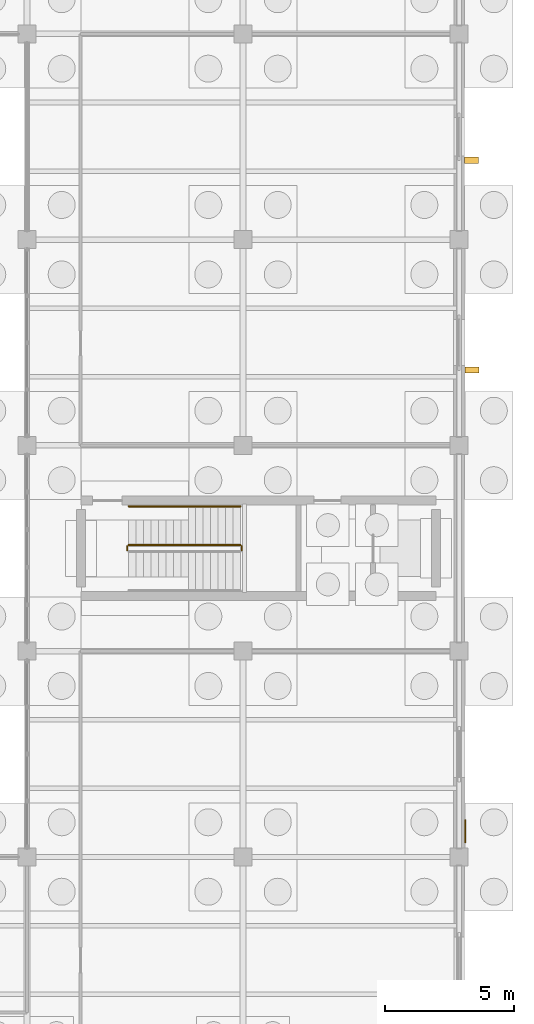
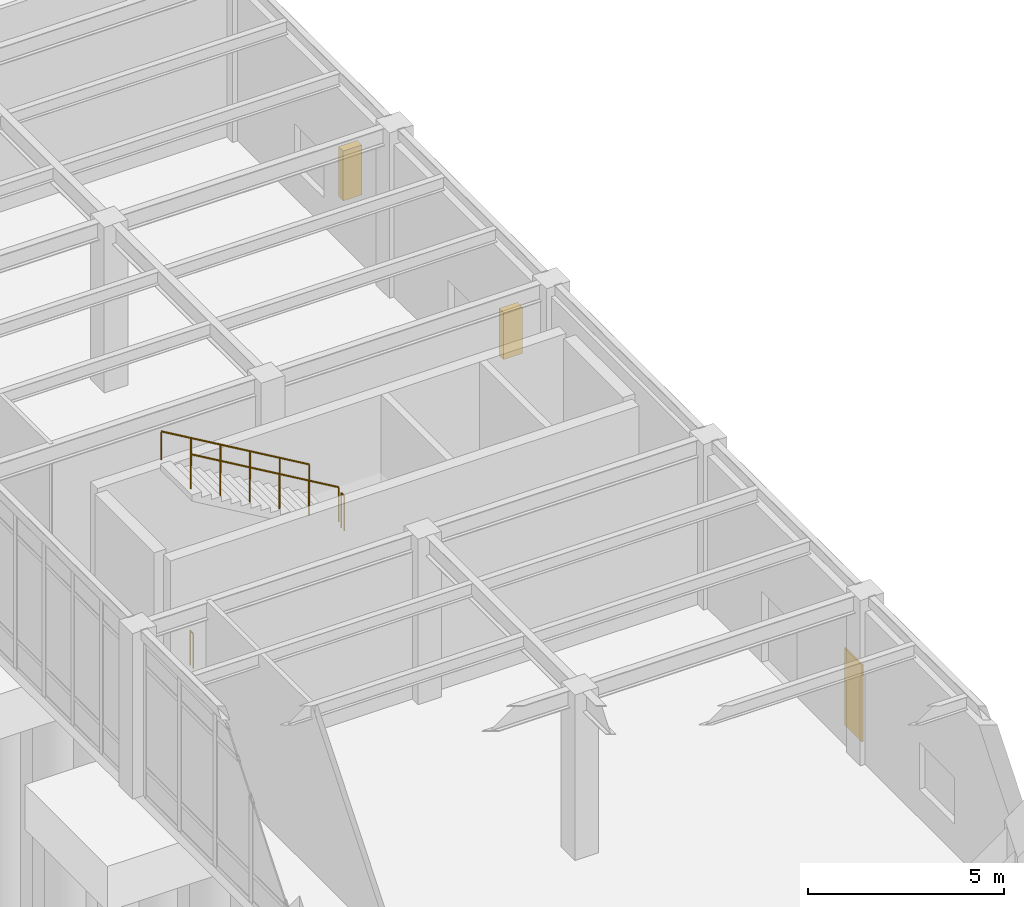
# One storey, part 136 of 138: 4 railings, 2 shading devices, 1 covering.
"""IFC4 building model written with IfcOpenShell, lengths in metres."""

from ifc_helpers import new_model, si_unit, direction, frame, origin, origin_2d, place, context, subcontext, project, spatial, rectangle, circle, extrude, material, layer, layer_set, type_object, element, save


model = new_model("IFC4")

# Units and contexts
model_context = context("Model", 3, precision=1e-05, world=origin(), true_north=direction((0.0, 1.0)))
body_context = subcontext(model_context, "Body", "Model", "MODEL_VIEW")
ifc_project = project(units=[si_unit("LENGTHUNIT", "METRE"), si_unit("AREAUNIT", "SQUARE_METRE"), si_unit("VOLUMEUNIT", "CUBIC_METRE"), si_unit("PLANEANGLEUNIT", "RADIAN"), si_unit("MASSUNIT", "GRAM", prefix="KILO")], contexts=[model_context])

# Site, building, storey
site_placement = place(None, origin())
site = spatial("IfcSite", under=ifc_project, at=site_placement, CompositionType="ELEMENT")
building_placement = place(site_placement, origin())
building = spatial("IfcBuilding", under=site, at=building_placement, Name="Kranzveld Transit Interchange", CompositionType="ELEMENT")
storey_placement = place(building_placement, origin())
storey = spatial("IfcBuildingStorey", under=building, at=storey_placement, Name="L00", CompositionType="ELEMENT", Elevation=0.0)

# Shading devices
ifc_material_1 = material(Name="Bronze-anodised thermally broken aluminium", Category="aluminium")
shading_device_type = type_object("IfcShadingDeviceType", Name="East-West Deep Clinker Solar Fin", PredefinedType="USERDEFINED", material=ifc_material_1)
shading_device_1_placement = place(storey_placement, frame((168.4951171875, 82.93994140625, 0.8251953125), z_axis=(0.0, 0.0, 1.0), x_axis=(0.0, 1.0, 0.0)))
element("IfcShadingDevice", 1, at=shading_device_1_placement, inside=storey, type_object=shading_device_type, Name="L00 Vertical Solar Fin 21/L", ObjectType="SOLAR FIN", PredefinedType="USERDEFINED", context=body_context, shape_type="SweptSolid", body=[
    extrude(rectangle(XDim=0.239990234375, YDim=0.550048828125, at=origin_2d()), origin(), (0.0, 0.0, 1.0), 1.449951171875),
])
shading_device_2_placement = place(storey_placement, frame((168.47998046875, 91.090087890625, 0.8251953125), z_axis=(0.0, 0.0, 1.0), x_axis=(0.0, 1.0, 0.0)))
element("IfcShadingDevice", 2, at=shading_device_2_placement, inside=storey, type_object=shading_device_type, Name="L00 Vertical Solar Fin 21/M", ObjectType="SOLAR FIN", PredefinedType="USERDEFINED", context=body_context, shape_type="SweptSolid", body=[
    extrude(rectangle(XDim=0.239990234375, YDim=0.550048828125, at=origin_2d()), origin(), (0.0, 0.0, 1.0), 1.550048828125),
])

# Covering
ifc_material_2 = material(Name="Ochre Pretoria sandstone cladding, 45 MPa", Category="masonry")
ifc_layer = layer(ifc_material_2, 0.044921875)
ifc_layer_set = layer_set([ifc_layer], Name="Ochre Pretoria sandstone cladding, 45 MPa")
covering_type = type_object("IfcCoveringType", Name="Ochre Pretoria Sandstone Pier Cladding 45", PredefinedType="CLADDING", material=ifc_layer_set)
covering_placement = place(storey_placement, frame((168.242431640625, 65.0, 0.0), z_axis=(0.0, 0.0, 1.0), x_axis=(0.0, 1.0, 0.0)))
element("IfcCovering", 3, at=covering_placement, inside=storey, type_object=covering_type, Name="L00 Sandstone Plinth Cladding 08", PredefinedType="CLADDING", context=body_context, shape_type="SweptSolid", body=[
    extrude(rectangle(XDim=0.89990234375, YDim=0.044921875, at=origin_2d()), origin(), (0.0, 0.0, 1.0), 2.39990234375),
])

# Railings
ifc_material_3 = material(Name="Steel S355JR", Category="steel")
railing_type_1 = type_object("IfcRailingType", Name="Stair & Ramp Handrail Steel 900", PredefinedType="HANDRAIL", material=ifc_material_3)
railing_1_placement = place(storey_placement, frame((159.5, 77.6298828125, 2.889892578125)))
element("IfcRailing", 4, at=railing_1_placement, inside=storey, type_object=railing_type_1, Name="L00 ST-V4B stair handrail 2", PredefinedType="HANDRAIL", context=body_context, shape_type="SweptSolid", body=[
    extrude(circle(Radius=0.02392578125, at=origin_2d()), frame((0.0, 0.0, 0.8759765625), z_axis=(-0.862698698498, 0.0, 0.505718257145), x_axis=(0.0, -1.0, 0.0)), (0.0, 0.0, 1.0), 5.04248046875),
    extrude(circle(Radius=0.02099609375, at=origin_2d()), origin(), (0.0, 0.0, 1.0), 0.849853515625),
    extrude(circle(Radius=0.02099609375, at=origin_2d()), frame((-0.8701171875, 0.0, 0.510009765625)), (0.0, 0.0, 1.0), 0.849853515625),
    extrude(circle(Radius=0.02099609375, at=origin_2d()), frame((-1.739990234375, 0.0, 1.02001953125)), (0.0, 0.0, 1.0), 0.849853515625),
    extrude(circle(Radius=0.02099609375, at=origin_2d()), frame((-2.610107421875, 0.0, 1.530029296875)), (0.0, 0.0, 1.0), 0.849853515625),
    extrude(circle(Radius=0.02099609375, at=origin_2d()), frame((-3.47998046875, 0.0, 2.0400390625)), (0.0, 0.0, 1.0), 0.849853515625),
    extrude(circle(Radius=0.02099609375, at=origin_2d()), frame((-4.35009765625, 0.0, 2.550048828125)), (0.0, 0.0, 1.0), 0.849853515625),
])
ifc_material_4 = material(Name="Steel S355JR", Category="steel")
railing_type_2 = type_object("IfcRailingType", Name="Stair Well Guardrail Steel 1100", PredefinedType="GUARDRAIL", material=ifc_material_4)
railing_2_placement = place(storey_placement, frame((159.550048828125, 75.919921875, 2.719970703125)))
element("IfcRailing", 5, at=railing_2_placement, inside=storey, type_object=railing_type_2, Name="L00 ST-V4B stair guard 2", PredefinedType="GUARDRAIL", context=body_context, shape_type="SweptSolid", body=[
    extrude(circle(Radius=0.02392578125, at=origin_2d()), frame((0.0, 0.0, 1.076171875), z_axis=(0.0, 1.0, 0.0), x_axis=(-1.0, 0.0, 0.0)), (0.0, 0.0, 1.0), 0.16015625),
    extrude(circle(Radius=0.02099609375, at=origin_2d()), origin(), (0.0, 0.0, 1.0), 1.050048828125),
    extrude(circle(Radius=0.02099609375, at=origin_2d()), frame((0.0, 0.16015625, 0.0)), (0.0, 0.0, 1.0), 1.050048828125),
])
railing_3_placement = place(storey_placement, frame((159.5, 76.1298828125, 2.889892578125)))
element("IfcRailing", 6, at=railing_3_placement, inside=storey, type_object=railing_type_2, Name="L00 ST-V4B stair guard 3", PredefinedType="GUARDRAIL", context=body_context, shape_type="SweptSolid", body=[
    extrude(circle(Radius=0.02392578125, at=origin_2d()), frame((0.0, 0.0, 1.076171875), z_axis=(-0.862698698498, 0.0, 0.505718257145), x_axis=(0.0, -1.0, 0.0)), (0.0, 0.0, 1.0), 5.04248046875),
    extrude(circle(Radius=0.02099609375, at=origin_2d()), origin(), (0.0, 0.0, 1.0), 1.050048828125),
    extrude(circle(Radius=0.02099609375, at=origin_2d()), frame((-0.8701171875, 0.0, 0.510009765625)), (0.0, 0.0, 1.0), 1.050048828125),
    extrude(circle(Radius=0.02099609375, at=origin_2d()), frame((-1.739990234375, 0.0, 1.02001953125)), (0.0, 0.0, 1.0), 1.050048828125),
    extrude(circle(Radius=0.02099609375, at=origin_2d()), frame((-2.610107421875, 0.0, 1.530029296875)), (0.0, 0.0, 1.0), 1.050048828125),
    extrude(circle(Radius=0.02099609375, at=origin_2d()), frame((-3.47998046875, 0.0, 2.0400390625)), (0.0, 0.0, 1.0), 1.050048828125),
    extrude(circle(Radius=0.02099609375, at=origin_2d()), frame((-4.35009765625, 0.0, 2.550048828125)), (0.0, 0.0, 1.0), 1.050048828125),
])
railing_4_placement = place(storey_placement, frame((155.10009765625, 75.919921875, 0.0)))
element("IfcRailing", 7, at=railing_4_placement, inside=storey, type_object=railing_type_2, Name="L00 ST-V4B stair guard 4", PredefinedType="GUARDRAIL", context=body_context, shape_type="SweptSolid", body=[
    extrude(circle(Radius=0.02392578125, at=origin_2d()), frame((0.0, 0.0, 1.076171875), z_axis=(0.0, 1.0, 0.0), x_axis=(-1.0, 0.0, 0.0)), (0.0, 0.0, 1.0), 0.16015625),
    extrude(circle(Radius=0.02099609375, at=origin_2d()), origin(), (0.0, 0.0, 1.0), 1.050048828125),
    extrude(circle(Radius=0.02099609375, at=origin_2d()), frame((0.0, 0.16015625, 0.0)), (0.0, 0.0, 1.0), 1.050048828125),
])

save(model, "model.ifc")
